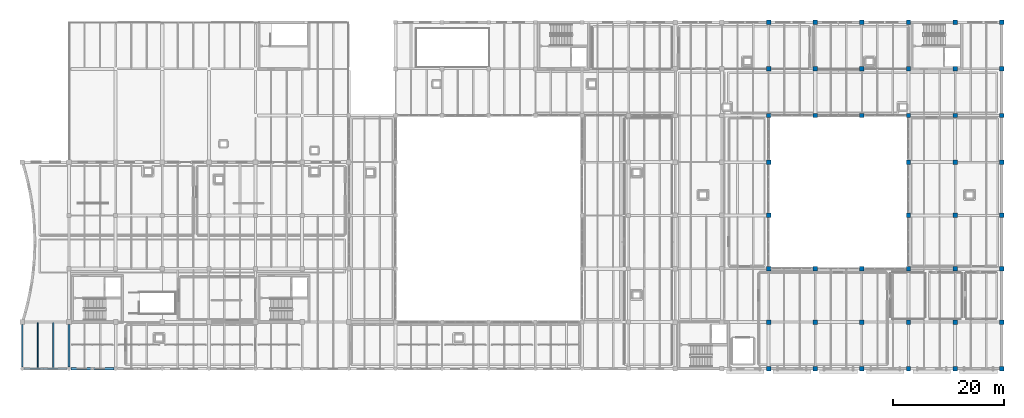
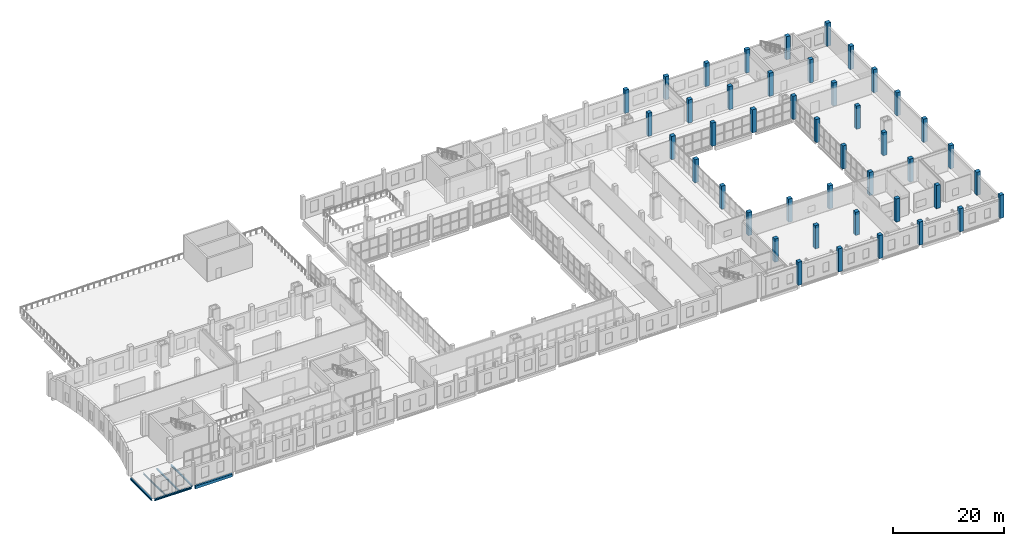
# One storey, part 2 of 73: 44 columns, 6 beams.
"""IFC4 building model written with IfcOpenShell, lengths in metres."""

from ifc_helpers import new_model, si_unit, direction, frame, origin, origin_2d, place, context, subcontext, project, spatial, rectangle, i_section, extrude, material, material_profile, profile_set, type_object, element, save


model = new_model("IFC4")

# Units and contexts
model_context = context("Model", 3, precision=1e-05, world=origin(), true_north=direction((0.0, 1.0)))
body_context = subcontext(model_context, "Body", "Model", "MODEL_VIEW")
ifc_project = project(units=[si_unit("LENGTHUNIT", "METRE"), si_unit("AREAUNIT", "SQUARE_METRE"), si_unit("VOLUMEUNIT", "CUBIC_METRE"), si_unit("PLANEANGLEUNIT", "RADIAN"), si_unit("MASSUNIT", "GRAM", prefix="KILO")], contexts=[model_context])

# Site, building, storey
site_placement = place(None, origin())
site = spatial("IfcSite", under=ifc_project, at=site_placement, CompositionType="ELEMENT")
building_placement = place(site_placement, origin())
building = spatial("IfcBuilding", under=site, at=building_placement, Name="Zulmaris Art Gallery", CompositionType="ELEMENT")
storey_placement = place(building_placement, frame((0.0, 0.0, 10.5)))
storey = spatial("IfcBuildingStorey", under=building, at=storey_placement, Name="L02", CompositionType="ELEMENT", Elevation=10.5)

# Columns
ifc_material_1 = material(Name="Concrete C40/50", Category="concrete")
ifc_material_profile_1 = material_profile(ifc_material_1, rectangle(XDim=0.800048828125, YDim=0.800048828125, at=origin_2d()), Name="RC 800x800")
ifc_profile_set_1 = profile_set([ifc_material_profile_1], Name="Concrete C40/50")
column_type = type_object("IfcColumnType", Name="COL-RC-800x800", PredefinedType="COLUMN", material=ifc_profile_set_1)
for number, where, z_axis, x_axis, name in (
    (1, (158.39990234375, 13.199951171875, 0.0), (0.0, 0.0, 1.0), (1.0, 0.0, 0.0), "L02 structural column (158.4, 13.2)"),
    (2, (158.39990234375, 21.60009765625, 0.0), (0.0, 0.0, 1.0), (1.0, 0.0, 0.0), "L02 structural column (158.4, 21.6)"),
    (3, (158.39990234375, 31.199951171875, 0.0), (0.0, 0.0, 1.0), (1.0, 0.0, 0.0), "L02 structural column (158.4, 31.2)"),
    (4, (158.39990234375, 40.800048828125, 0.0), (0.0, 0.0, 1.0), (1.0, 0.0, 0.0), "L02 structural column (158.4, 40.8)"),
    (5, (158.39990234375, 50.39990234375, 0.0), (0.0, 0.0, 1.0), (1.0, 0.0, 0.0), "L02 structural column (158.4, 50.4)"),
    (6, (158.39990234375, 58.800048828125, 0.0), (0.0, 0.0, 1.0), (1.0, 0.0, 0.0), "L02 structural column (158.4, 58.8)"),
    (7, (158.39990234375, 67.199951171875, 0.0), (0.0, 0.0, 1.0), (1.0, 0.0, 0.0), "L02 structural column (158.4, 67.2)"),
    (8, (158.39990234375, 75.60009765625, 0.0), (0.0, 0.0, 1.0), (1.0, 0.0, 0.0), "L02 structural column (158.4, 75.6)"),
    (9, (166.800048828125, 13.199951171875, 0.0), (0.0, 0.0, 1.0), (1.0, 0.0, 0.0), "L02 structural column (166.8, 13.2)"),
    (10, (166.800048828125, 21.60009765625, 0.0), (0.0, 0.0, 1.0), (1.0, 0.0, 0.0), "L02 structural column (166.8, 21.6)"),
    (11, (166.800048828125, 31.199951171875, 0.0), (0.0, 0.0, 1.0), (1.0, 0.0, 0.0), "L02 structural column (166.8, 31.2)"),
    (12, (166.800048828125, 58.800048828125, 0.0), (0.0, 0.0, 1.0), (1.0, 0.0, 0.0), "L02 structural column (166.8, 58.8)"),
    (13, (166.800048828125, 67.199951171875, 0.0), (0.0, 0.0, 1.0), (1.0, 0.0, 0.0), "L02 structural column (166.8, 67.2)"),
    (14, (166.800048828125, 75.60009765625, 0.0), (0.0, 0.0, 1.0), (1.0, 0.0, 0.0), "L02 structural column (166.8, 75.6)"),
    (15, (175.199951171875, 13.199951171875, 0.0), (0.0, 0.0, 1.0), (1.0, 0.0, 0.0), "L02 structural column (175.2, 13.2)"),
    (16, (175.199951171875, 21.60009765625, 0.0), (0.0, 0.0, 1.0), (1.0, 0.0, 0.0), "L02 structural column (175.2, 21.6)"),
    (17, (175.199951171875, 31.199951171875, 0.0), (0.0, 0.0, 1.0), (1.0, 0.0, 0.0), "L02 structural column (175.2, 31.2)"),
    (18, (175.199951171875, 58.800048828125, 0.0), (0.0, 0.0, 1.0), (1.0, 0.0, 0.0), "L02 structural column (175.2, 58.8)"),
    (19, (175.199951171875, 67.199951171875, 0.0), (0.0, 0.0, 1.0), (1.0, 0.0, 0.0), "L02 structural column (175.2, 67.2)"),
    (20, (175.199951171875, 75.60009765625, 0.0), (0.0, 0.0, 1.0), (1.0, 0.0, 0.0), "L02 structural column (175.2, 75.6)"),
    (21, (183.60009765625, 13.199951171875, 0.0), (0.0, 0.0, 1.0), (1.0, 0.0, 0.0), "L02 structural column (183.6, 13.2)"),
    (22, (183.60009765625, 21.60009765625, 0.0), (0.0, 0.0, 1.0), (1.0, 0.0, 0.0), "L02 structural column (183.6, 21.6)"),
    (23, (183.60009765625, 31.199951171875, 0.0), (0.0, 0.0, 1.0), (1.0, 0.0, 0.0), "L02 structural column (183.6, 31.2)"),
    (24, (183.60009765625, 40.800048828125, 0.0), (0.0, 0.0, 1.0), (1.0, 0.0, 0.0), "L02 structural column (183.6, 40.8)"),
    (25, (183.60009765625, 50.39990234375, 0.0), (0.0, 0.0, 1.0), (1.0, 0.0, 0.0), "L02 structural column (183.6, 50.4)"),
    (26, (183.60009765625, 58.800048828125, 0.0), (0.0, 0.0, 1.0), (1.0, 0.0, 0.0), "L02 structural column (183.6, 58.8)"),
    (27, (183.60009765625, 67.199951171875, 0.0), (0.0, 0.0, 1.0), (1.0, 0.0, 0.0), "L02 structural column (183.6, 67.2)"),
    (28, (183.60009765625, 75.60009765625, 0.0), (0.0, 0.0, 1.0), (1.0, 0.0, 0.0), "L02 structural column (183.6, 75.6)"),
    (29, (192.0, 13.199951171875, 0.0), (0.0, 0.0, 1.0), (1.0, 0.0, 0.0), "L02 structural column (192.0, 13.2)"),
    (30, (192.0, 21.60009765625, 0.0), (0.0, 0.0, 1.0), (1.0, 0.0, 0.0), "L02 structural column (192.0, 21.6)"),
    (31, (192.0, 31.199951171875, 0.0), (0.0, 0.0, 1.0), (1.0, 0.0, 0.0), "L02 structural column (192.0, 31.2)"),
    (32, (192.0, 40.800048828125, 0.0), (0.0, 0.0, 1.0), (1.0, 0.0, 0.0), "L02 structural column (192.0, 40.8)"),
    (33, (192.0, 50.39990234375, 0.0), (0.0, 0.0, 1.0), (1.0, 0.0, 0.0), "L02 structural column (192.0, 50.4)"),
    (34, (192.0, 58.800048828125, 0.0), (0.0, 0.0, 1.0), (1.0, 0.0, 0.0), "L02 structural column (192.0, 58.8)"),
    (35, (192.0, 67.199951171875, 0.0), (0.0, 0.0, 1.0), (1.0, 0.0, 0.0), "L02 structural column (192.0, 67.2)"),
    (36, (192.0, 75.60009765625, 0.0), (0.0, 0.0, 1.0), (1.0, 0.0, 0.0), "L02 structural column (192.0, 75.6)"),
    (37, (200.39990234375, 13.199951171875, 0.0), (0.0, 0.0, 1.0), (1.0, 0.0, 0.0), "L02 structural column (200.4, 13.2)"),
    (38, (200.39990234375, 21.60009765625, 0.0), (0.0, 0.0, 1.0), (1.0, 0.0, 0.0), "L02 structural column (200.4, 21.6)"),
    (39, (200.39990234375, 31.199951171875, 0.0), (0.0, 0.0, 1.0), (1.0, 0.0, 0.0), "L02 structural column (200.4, 31.2)"),
    (40, (200.39990234375, 40.800048828125, 0.0), (0.0, 0.0, 1.0), (1.0, 0.0, 0.0), "L02 structural column (200.4, 40.8)"),
    (41, (200.39990234375, 50.39990234375, 0.0), (0.0, 0.0, 1.0), (1.0, 0.0, 0.0), "L02 structural column (200.4, 50.4)"),
    (42, (200.39990234375, 58.800048828125, 0.0), (0.0, 0.0, 1.0), (1.0, 0.0, 0.0), "L02 structural column (200.4, 58.8)"),
    (43, (200.39990234375, 67.199951171875, 0.0), (0.0, 0.0, 1.0), (1.0, 0.0, 0.0), "L02 structural column (200.4, 67.2)"),
    (44, (200.39990234375, 75.60009765625, 0.0), (0.0, 0.0, 1.0), (1.0, 0.0, 0.0), "L02 structural column (200.4, 75.6)"),
):
    element("IfcColumn", number, at=place(storey_placement, frame(where, z_axis=z_axis, x_axis=x_axis)), inside=storey, type_object=column_type, Name=name, PredefinedType="COLUMN", context=body_context, shape_type="SweptSolid", body=[
        extrude(rectangle(XDim=0.800048828125, YDim=0.800048828125, at=origin_2d()), origin(), (0.0, 0.0, 1.0), 5.10009765625),
    ])

# Beams
ifc_material_2 = material(Name="Steel S355J2", Category="steel")
ifc_material_profile_2 = material_profile(ifc_material_2, i_section(OverallWidth=0.300048828125, OverallDepth=0.2900390625, WebThickness=0.008544921875, FlangeThickness=0.013916015625, FilletRadius=0.027099609375, at=origin_2d()), Name="HEA 300")
ifc_profile_set_2 = profile_set([ifc_material_profile_2], Name="Steel S355J2")
beam_type_1 = type_object("IfcBeamType", Name="BEAM-BM24", PredefinedType="BEAM", material=ifc_profile_set_2)
beam_1_placement = place(storey_placement, frame((32.39990234375, 13.534912109375, -0.544921875), z_axis=(0.0, 1.0, 0.0), x_axis=(-1.0, 0.0, 0.0)))
element("IfcBeam", 45, at=beam_1_placement, inside=storey, type_object=beam_type_1, Name="L02 Y-girder (x=32.4, 13.2..21.6)", PredefinedType="BEAM", context=body_context, shape_type="SweptSolid", body=[
    extrude(i_section(OverallWidth=0.300048828125, OverallDepth=0.2900390625, WebThickness=0.008544921875, FlangeThickness=0.013916015625, FilletRadius=0.027099609375, at=origin_2d()), origin(), (0.0, 0.0, 1.0), 7.655029296875),
])
ifc_material_profile_3 = material_profile(ifc_material_2, i_section(OverallWidth=0.159912109375, OverallDepth=0.330078125, WebThickness=0.007568359375, FlangeThickness=0.011474609375, FilletRadius=0.01806640625, at=origin_2d()), Name="IPE 330")
ifc_profile_set_3 = profile_set([ifc_material_profile_3], Name="Steel S355J2")
beam_type_2 = type_object("IfcBeamType", Name="BEAM-JS03", PredefinedType="JOIST", material=ifc_profile_set_3)
beam_2_placement = place(storey_placement, frame((26.800048828125, 13.324951171875, -0.56494140625), z_axis=(0.0, 1.0, 0.0), x_axis=(-1.0, 0.0, 0.0)))
element("IfcBeam", 46, at=beam_2_placement, inside=storey, type_object=beam_type_2, Name="L02 secondary joist at x=26.8", PredefinedType="JOIST", context=body_context, shape_type="SweptSolid", body=[
    extrude(i_section(OverallWidth=0.159912109375, OverallDepth=0.330078125, WebThickness=0.007568359375, FlangeThickness=0.011474609375, FilletRadius=0.01806640625, at=origin_2d()), origin(), (0.0, 0.0, 1.0), 8.150146484375),
])
ifc_material_profile_4 = material_profile(ifc_material_2, i_section(OverallWidth=0.280029296875, OverallDepth=0.27001953125, WebThickness=0.008056640625, FlangeThickness=0.012939453125, FilletRadius=0.02392578125, at=origin_2d()), Name="HEA 280")
ifc_profile_set_4 = profile_set([ifc_material_profile_4], Name="Steel S355J2")
beam_type_3 = type_object("IfcBeamType", Name="BEAM-JS04", PredefinedType="JOIST", material=ifc_profile_set_4)
beam_3_placement = place(storey_placement, frame((29.60009765625, 13.324951171875, -0.534912109375), z_axis=(0.0, 1.0, 0.0), x_axis=(-1.0, 0.0, 0.0)))
element("IfcBeam", 47, at=beam_3_placement, inside=storey, type_object=beam_type_3, Name="L02 secondary joist at x=29.6", PredefinedType="JOIST", context=body_context, shape_type="SweptSolid", body=[
    extrude(i_section(OverallWidth=0.280029296875, OverallDepth=0.27001953125, WebThickness=0.008056640625, FlangeThickness=0.012939453125, FilletRadius=0.02392578125, at=origin_2d()), origin(), (0.0, 0.0, 1.0), 8.150146484375),
])
ifc_material_profile_5 = material_profile(ifc_material_2, i_section(OverallWidth=0.300048828125, OverallDepth=0.35009765625, WebThickness=0.010009765625, FlangeThickness=0.017578125, FilletRadius=0.027099609375, at=origin_2d()), Name="HEA 360")
ifc_profile_set_5 = profile_set([ifc_material_profile_5], Name="Steel S355J2")
beam_type_4 = type_object("IfcBeamType", Name="BEAM-SP01", PredefinedType="SPANDREL", material=ifc_profile_set_5)
beam_4_placement = place(storey_placement, frame((24.3349609375, 13.199951171875, -0.574951171875), z_axis=(1.0, 0.0, 0.0), x_axis=(0.0, 1.0, 0.0)))
element("IfcBeam", 48, at=beam_4_placement, inside=storey, type_object=beam_type_4, Name="L02 X-girder (24.0..32.4, y=13.2)", PredefinedType="SPANDREL", context=body_context, shape_type="SweptSolid", body=[
    extrude(i_section(OverallWidth=0.300048828125, OverallDepth=0.35009765625, WebThickness=0.010009765625, FlangeThickness=0.017578125, FilletRadius=0.027099609375, at=origin_2d()), origin(), (0.0, 0.0, 1.0), 7.72998046875),
])
ifc_material_profile_6 = material_profile(ifc_material_2, i_section(OverallWidth=0.300048828125, OverallDepth=0.39990234375, WebThickness=0.013427734375, FlangeThickness=0.02392578125, FilletRadius=0.027099609375, at=origin_2d()), Name="HEB 400")
ifc_profile_set_6 = profile_set([ifc_material_profile_6], Name="Steel S355J2")
beam_type_5 = type_object("IfcBeamType", Name="BEAM-SP02", PredefinedType="SPANDREL", material=ifc_profile_set_6)
beam_5_placement = place(storey_placement, frame((24.0, 13.534912109375, -0.60009765625), z_axis=(0.0, 1.0, 0.0), x_axis=(-1.0, 0.0, 0.0)))
element("IfcBeam", 49, at=beam_5_placement, inside=storey, type_object=beam_type_5, Name="L02 Y-girder (x=24.0, 13.2..21.6)", PredefinedType="SPANDREL", context=body_context, shape_type="SweptSolid", body=[
    extrude(i_section(OverallWidth=0.300048828125, OverallDepth=0.39990234375, WebThickness=0.013427734375, FlangeThickness=0.02392578125, FilletRadius=0.027099609375, at=origin_2d()), origin(), (0.0, 0.0, 1.0), 7.655029296875),
])
ifc_material_profile_7 = material_profile(ifc_material_1, rectangle(XDim=0.39990234375, YDim=0.60009765625, at=origin_2d()), Name="RC 400x600")
ifc_profile_set_7 = profile_set([ifc_material_profile_7], Name="Concrete C40/50")
beam_type_6 = type_object("IfcBeamType", Name="BEAM-SP03", PredefinedType="SPANDREL", material=ifc_profile_set_7)
beam_6_placement = place(storey_placement, frame((32.735107421875, 13.199951171875, -0.699951171875), z_axis=(1.0, 0.0, 0.0), x_axis=(0.0, 1.0, 0.0)))
element("IfcBeam", 50, at=beam_6_placement, inside=storey, type_object=beam_type_6, Name="L02 X-girder (32.4..40.8, y=13.2)", PredefinedType="SPANDREL", context=body_context, shape_type="SweptSolid", body=[
    extrude(rectangle(XDim=0.39990234375, YDim=0.60009765625, at=origin_2d()), origin(), (0.0, 0.0, 1.0), 7.72998046875),
])

save(model, "model.ifc")
